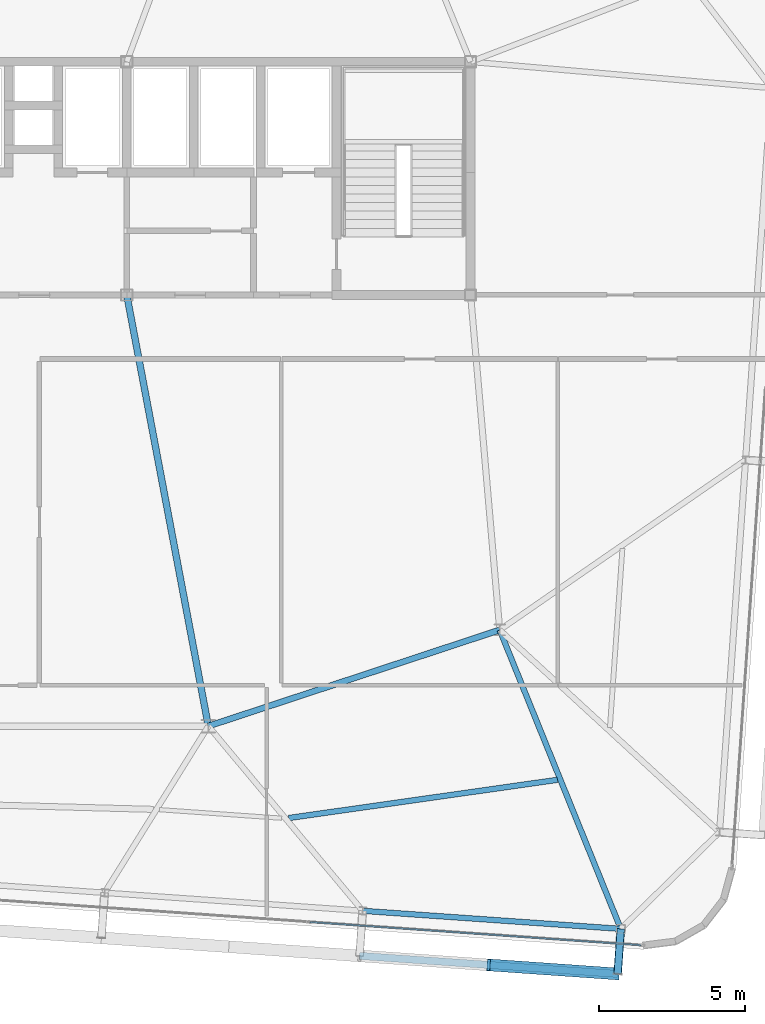
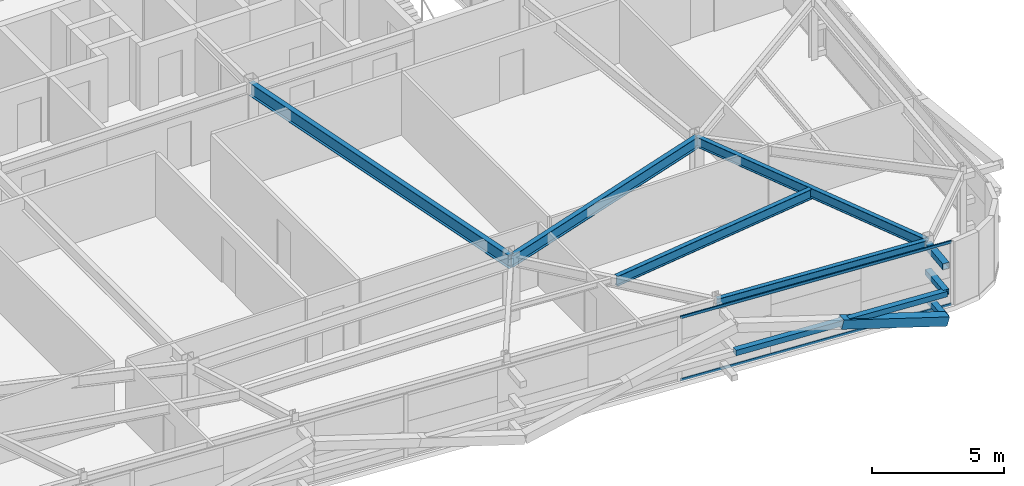
# One storey, part 14 of 39: 7 members, 5 beams, 1 element without a shape of its own.
"""IFC4 building model written with IfcOpenShell, lengths in metres."""

import ifcopenshell
import ifcopenshell.guid

model = None  # the IFC model being written
_history = None  # IfcOwnerHistory: only IFC2X3 demands one
_inside = {}  # id of a spatial element -> (the spatial element, [elements in it])
_under = {}  # id of a project, library or spatial element -> (it, [spatial elements below it])
_declared = {}  # id of a project -> (the project, [libraries it declares])
_typed = {}  # id of a type object -> (the type object, [elements of that type])
_made_of = {}  # id of a material, layer set ... -> (it, [elements and type objects made of it])


def new_model(schema):
    """Start an empty IFC model of exactly this schema.

    Asked for "IFC4X3", IfcOpenShell would pick the latest addendum, in which some entities
    have other attributes; the version numbers below select the first issue.
    IFC2X3 requires an IfcOwnerHistory on every rooted entity: one is made here for all.
    """
    global model, _history
    if schema == "IFC4X3":
        model = ifcopenshell.file(schema_version=(4, 3, 0, 0))
    else:
        model = ifcopenshell.file(schema=schema)
    _inside.clear()
    _under.clear()
    _declared.clear()
    _typed.clear()
    _made_of.clear()
    _history = None
    if model.schema == "IFC2X3":
        org = make("IfcOrganization", Name="unknown")
        user = make(
            "IfcPersonAndOrganization",
            ThePerson=make("IfcPerson", FamilyName="unknown"),
            TheOrganization=org,
        )
        app = make(
            "IfcApplication",
            ApplicationDeveloper=org,
            Version="unknown",
            ApplicationFullName="unknown",
            ApplicationIdentifier="unknown",
        )
        _history = make(
            "IfcOwnerHistory",
            OwningUser=user,
            OwningApplication=app,
            ChangeAction="ADDED",
            CreationDate=0,
        )
    return model


def make(cls, **values):
    """One entity of the class cls with the attributes given. An attribute that is None is left unset."""
    return model.create_entity(
        cls, **{name: value for name, value in values.items() if value is not None}
    )


def rooted(cls, **values):
    """An entity with a GlobalId (a new one), such as an element, a storey or a relation."""
    return make(cls, GlobalId=ifcopenshell.guid.new(), OwnerHistory=_history, **values)


def si_unit(unit_type, name, prefix=None):
    """IfcSIUnit, for example si_unit("LENGTHUNIT", "METRE", prefix="MILLI")."""
    return make("IfcSIUnit", UnitType=unit_type, Prefix=prefix, Name=name)


def assignment(units):
    """IfcUnitAssignment: the units of a project."""
    return None if units is None else make("IfcUnitAssignment", Units=units)


def point(xyz):
    """IfcCartesianPoint."""
    return None if xyz is None else make("IfcCartesianPoint", Coordinates=xyz)


def direction(xyz):
    """IfcDirection."""
    return None if xyz is None else make("IfcDirection", DirectionRatios=xyz)


def frame(location, z_axis=None, x_axis=None):
    """IfcAxis2Placement3D, a coordinate frame: its origin and axes. An axis left out is left unset."""
    return make(
        "IfcAxis2Placement3D",
        Location=point(location),
        Axis=direction(z_axis),
        RefDirection=direction(x_axis),
    )


def frame_2d(location, x_axis=None):
    """IfcAxis2Placement2D, a coordinate frame in the plane: its origin and x axis."""
    return make(
        "IfcAxis2Placement2D", Location=point(location), RefDirection=direction(x_axis)
    )


def origin():
    """The frame at (0, 0, 0) with its axes left unset."""
    return frame((0.0, 0.0, 0.0))


def origin_2d():
    """The frame at (0, 0) in the plane with its x axis left unset."""
    return frame_2d((0.0, 0.0))


def place(relative_to, where):
    """IfcLocalPlacement: puts the frame where relative to a parent placement (None: the world)."""
    return make(
        "IfcLocalPlacement", PlacementRelTo=relative_to, RelativePlacement=where
    )


def context(
    kind, dimensions, precision=None, world=None, true_north=None, identifier=None
):
    """IfcGeometricRepresentationContext, for example the 3D "Model" context."""
    return make(
        "IfcGeometricRepresentationContext",
        ContextIdentifier=identifier,
        ContextType=kind,
        CoordinateSpaceDimension=dimensions,
        Precision=precision,
        WorldCoordinateSystem=world,
        TrueNorth=true_north,
    )


def subcontext(parent, identifier, kind, view, scale=None):
    """IfcGeometricRepresentationSubContext, for example "Body" below "Model"."""
    return make(
        "IfcGeometricRepresentationSubContext",
        ContextIdentifier=identifier,
        ContextType=kind,
        ParentContext=parent,
        TargetScale=scale,
        TargetView=view,
    )


def project(units=None, contexts=None):
    """IfcProject with its units and contexts."""
    return rooted(
        "IfcProject",
        Name="project",
        RepresentationContexts=contexts,
        UnitsInContext=assignment(units),
    )


def spatial(cls, under=None, at=None, **own):
    """A site, building, storey or space (cls), placed at a placement, below another one or the project."""
    s = rooted(cls, ObjectPlacement=at, **own)
    if under is not None:
        _under.setdefault(under.id(), (under, []))[1].append(s)
    return s


def profile(cls, at=None, kind="AREA", **sizes):
    """A parametric profile (cls). Its sizes go by their IFC names, for example OverallWidth=200.0."""
    return make(cls, ProfileType=kind, Position=at, **sizes)


def hollow_rectangle(**sizes):
    """IfcRectangleHollowProfileDef."""
    return profile("IfcRectangleHollowProfileDef", **sizes)


def i_section(**sizes):
    """IfcIShapeProfileDef."""
    return profile("IfcIShapeProfileDef", **sizes)


def extrude(swept, where, along, depth):
    """IfcExtrudedAreaSolid: the profile swept, set in the frame where, extruded along a direction by depth."""
    return make(
        "IfcExtrudedAreaSolid",
        SweptArea=swept,
        Position=where,
        ExtrudedDirection=direction(along),
        Depth=depth,
    )


def shape(context_of_items, identifier, shape_type, items):
    """IfcShapeRepresentation: the items that make up one representation, for example the "Body"."""
    return make(
        "IfcShapeRepresentation",
        ContextOfItems=context_of_items,
        RepresentationIdentifier=identifier,
        RepresentationType=shape_type,
        Items=items,
    )


def source(mapping_origin, context_of_items, identifier, shape_type, items):
    """IfcRepresentationMap: a shape defined once, which mapped items show again and again."""
    return make(
        "IfcRepresentationMap",
        MappingOrigin=mapping_origin,
        MappedRepresentation=shape(context_of_items, identifier, shape_type, items),
    )


def transform(
    local_origin,
    x_axis=None,
    y_axis=None,
    z_axis=None,
    scale=None,
    scale2=None,
    scale3=None,
    uniform=True,
):
    """IfcCartesianTransformationOperator3D, or its non-uniform kind. x_axis, y_axis, z_axis: its Axis1, 2, 3."""
    if uniform:
        return make(
            "IfcCartesianTransformationOperator3D",
            Axis1=direction(x_axis),
            Axis2=direction(y_axis),
            LocalOrigin=point(local_origin),
            Scale=scale,
            Axis3=direction(z_axis),
        )
    return make(
        "IfcCartesianTransformationOperator3DnonUniform",
        Axis1=direction(x_axis),
        Axis2=direction(y_axis),
        LocalOrigin=point(local_origin),
        Scale=scale,
        Axis3=direction(z_axis),
        Scale2=scale2,
        Scale3=scale3,
    )


def mapped(mapping_source, mapping_target):
    """IfcMappedItem: shows the shape of a source again, moved by a transform."""
    return make(
        "IfcMappedItem", MappingSource=mapping_source, MappingTarget=mapping_target
    )


def material(Name=None, Category=None):
    """IfcMaterial."""
    return make("IfcMaterial", Name=Name, Category=Category)


def layer(
    of_material, thickness, ventilated=None, Name=None, Category=None, Priority=None
):
    """IfcMaterialLayer: one layer of a wall or slab, of a material (None: an air gap)."""
    return make(
        "IfcMaterialLayer",
        Material=of_material,
        LayerThickness=thickness,
        IsVentilated=ventilated,
        Name=Name,
        Category=Category,
        Priority=Priority,
    )


def layer_set(layers, Name=None):
    """IfcMaterialLayerSet."""
    return make("IfcMaterialLayerSet", MaterialLayers=layers, LayerSetName=Name)


def material_profile(
    of_material, cross_section, Name=None, Category=None, Priority=None
):
    """IfcMaterialProfile: a cross section and its material."""
    return make(
        "IfcMaterialProfile",
        Name=Name,
        Material=of_material,
        Profile=cross_section,
        Priority=Priority,
        Category=Category,
    )


def profile_set(profiles, Name=None, composite=None):
    """IfcMaterialProfileSet."""
    return make(
        "IfcMaterialProfileSet",
        Name=Name,
        MaterialProfiles=profiles,
        CompositeProfile=composite,
    )


def made_of(thing, what):
    """Note that an element or type object is made of a material, layer set ...; save() writes the relation."""
    if what is not None:
        _made_of.setdefault(what.id(), (what, []))[1].append(thing)
    return thing


def type_object(cls, material=None, **own):
    """A type object (cls), such as IfcWallType, which elements share."""
    return made_of(rooted(cls, **own), material)


def element(
    cls,
    number,
    at=None,
    inside=None,
    cuts=None,
    type_object=None,
    material=None,
    context=None,
    identifier="Body",
    shape_type=None,
    held_by="IfcProductDefinitionShape",
    body=None,
    shapes=None,
    **own,
):
    """One element of the class cls, such as IfcWall. Its Tag is "e" and its number.

    at: its placement. inside: the storey or other place that contains it. cuts: it is an
    opening in that element (IfcRelVoidsElement). A single representation is given by context,
    identifier, shape_type and body (its items); several are given by shapes. held_by: the class
    of the entity that holds the representations. save() writes the other relations.
    """
    e = rooted(cls, Tag="e%d" % number, ObjectPlacement=at, **own)
    if body is not None:
        shapes = [shape(context, identifier, shape_type, body)]
    if shapes is not None:
        e.Representation = make(held_by, Representations=shapes)
    if inside is not None:
        _inside.setdefault(inside.id(), (inside, []))[1].append(e)
    if cuts is not None:
        rooted(
            "IfcRelVoidsElement", RelatingBuildingElement=cuts, RelatedOpeningElement=e
        )
    if type_object is not None:
        _typed.setdefault(type_object.id(), (type_object, []))[1].append(e)
    return made_of(e, material)


def aggregate(whole, parts):
    """IfcRelAggregates: a whole, such as a stair, and the parts it consists of."""
    return rooted("IfcRelAggregates", RelatingObject=whole, RelatedObjects=parts)


def save(model, path):
    """Write the relations noted so far, then the file.

    IfcRelAggregates (storeys below a building ...), IfcRelContainedInSpatialStructure (elements
    in a storey), IfcRelDefinesByType, IfcRelAssociatesMaterial and IfcRelDeclares: one each for
    every whole, place, type object, material and project.
    """
    for whole, parts in _under.values():
        aggregate(whole, parts)
    for where, things in _inside.values():
        rooted(
            "IfcRelContainedInSpatialStructure",
            RelatedElements=things,
            RelatingStructure=where,
        )
    for kind, things in _typed.values():
        rooted("IfcRelDefinesByType", RelatedObjects=things, RelatingType=kind)
    for what, things in _made_of.values():
        rooted("IfcRelAssociatesMaterial", RelatedObjects=things, RelatingMaterial=what)
    for by, libraries in _declared.values():
        rooted("IfcRelDeclares", RelatingContext=by, RelatedDefinitions=libraries)
    model.write(path)


model = new_model("IFC4")

# Units and contexts
model_context = context("Model", 3, precision=1e-05, world=origin(), true_north=direction((0.0, 1.0)))
body_context = subcontext(model_context, "Body", "Model", "MODEL_VIEW")
ifc_project = project(units=[si_unit("LENGTHUNIT", "METRE"), si_unit("AREAUNIT", "SQUARE_METRE"), si_unit("VOLUMEUNIT", "CUBIC_METRE"), si_unit("PLANEANGLEUNIT", "RADIAN"), si_unit("MASSUNIT", "GRAM", prefix="KILO")], contexts=[model_context])

# Site, building, storey
site_placement = place(None, origin())
site = spatial("IfcSite", under=ifc_project, at=site_placement, CompositionType="ELEMENT")
building_placement = place(site_placement, origin())
building = spatial("IfcBuilding", under=site, at=building_placement, Name="Taldren Reach Tower", CompositionType="ELEMENT")
storey_placement = place(building_placement, frame((0.0, 0.0, 129.85009765625)))
storey = spatial("IfcBuildingStorey", under=building, at=storey_placement, Name="L39", CompositionType="ELEMENT", Elevation=129.85009765625)

# Beams
ifc_material_1 = material(Name="Steel Gr 350 (350PLUS)", Category="steel")
ifc_material_profile_1 = material_profile(ifc_material_1, i_section(OverallWidth=0.208984375, OverallDepth=0.532958984375, WebThickness=0.01025390625, FlangeThickness=0.015625, at=origin_2d()), Name="530UB92.4")
ifc_profile_set_1 = profile_set([ifc_material_profile_1], Name="Steel Gr 350 (350PLUS)")
beam_type_1 = type_object("IfcBeamType", Name="BM-UB530A", PredefinedType="BEAM", material=ifc_profile_set_1)
shared_shape_1 = source(origin(), body_context, "Body", "SweptSolid", [
    extrude(i_section(OverallWidth=0.208984375, OverallDepth=0.532958984375, WebThickness=0.01025390625, FlangeThickness=0.015625, at=origin_2d()), origin(), (0.0, 0.0, 1.0), 10.530517578125),
])
beam_1_placement = place(storey_placement, frame((42.0, 9.199951171875, 2.663330078125), z_axis=(0.949627269203, 0.313381635689, 0.0), x_axis=(-0.313381635689, 0.949627269203, 0.0)))
element("IfcBeam", 1, at=beam_1_placement, inside=storey, type_object=beam_type_1, Name="Core-spine girder L39-SP12", PredefinedType="BEAM", context=body_context, shape_type="MappedRepresentation", body=[
    mapped(shared_shape_1, transform((0.0, 0.0, 0.0), scale=1.0)),
])
ifc_material_profile_2 = material_profile(ifc_material_1, i_section(OverallWidth=0.22802734375, OverallDepth=0.60205078125, WebThickness=0.010498046875, FlangeThickness=0.014892578125, at=origin_2d()), Name="610UB101")
ifc_profile_set_2 = profile_set([ifc_material_profile_2], Name="Steel Gr 350 (350PLUS)")
beam_type_2 = type_object("IfcBeamType", Name="BM-UB610B", PredefinedType="BEAM", material=ifc_profile_set_2)
shared_shape_2 = source(origin(), body_context, "Body", "SweptSolid", [
    extrude(i_section(OverallWidth=0.22802734375, OverallDepth=0.60205078125, WebThickness=0.010498046875, FlangeThickness=0.014892578125, at=origin_2d()), origin(), (0.0, 0.0, 1.0), 15.0625),
])
beam_2_placement = place(storey_placement, frame((39.199951171875, 24.0, 2.62890625), z_axis=(0.185894205668, -0.982569765614, 0.0), x_axis=(0.982569765614, 0.185894205668, 0.0)))
element("IfcBeam", 2, at=beam_2_placement, inside=storey, type_object=beam_type_2, Name="Core-spine girder L39-SP15", PredefinedType="BEAM", context=body_context, shape_type="MappedRepresentation", body=[
    mapped(shared_shape_2, transform((0.0, 0.0, 0.0), scale=1.0)),
])

# Members
ifc_material_2 = material(Name="Steel Gr 450 (C450L0)", Category="steel")
ifc_material_profile_3 = material_profile(ifc_material_2, hollow_rectangle(XDim=0.27490234375, YDim=0.27490234375, WallThickness=0.00927734375, at=origin_2d()), Name="275x275x9.3SHS")
ifc_profile_set_3 = profile_set([ifc_material_profile_3], Name="Steel Gr 450 (C450L0)")
member_type_1 = type_object("IfcMemberType", Name="MB-TIE273", PredefinedType="STRUT", material=ifc_profile_set_3)
shared_shape_3 = source(origin(), body_context, "Body", "SweptSolid", [
    extrude(hollow_rectangle(XDim=0.27490234375, YDim=0.27490234375, WallThickness=0.00927734375, at=origin_2d()), origin(), (0.0, 0.0, 1.0), 1.5498046875),
])
member_1_placement = place(storey_placement, frame((56.155517578125, 2.2412109375, 2.64990234375), z_axis=(-0.069780535098, -0.997562367434, 0.0), x_axis=(0.997562367434, -0.069780535098, 0.0)))
element("IfcMember", 3, at=member_1_placement, inside=storey, type_object=member_type_1, Name="Exoskeleton diaphragm tie strut B3-S6 L39", PredefinedType="STRUT", context=body_context, shape_type="MappedRepresentation", body=[
    mapped(shared_shape_3, transform((0.0, 0.0, 0.0), scale=1.0)),
])
ifc_material_3 = material(Name="Steel Gr 350 (C350L0)", Category="steel")
ifc_material_profile_4 = material_profile(ifc_material_3, hollow_rectangle(XDim=0.25, YDim=0.25, WallThickness=0.010009765625, at=origin_2d()), Name="250x250x10.0SHS")
ifc_profile_set_4 = profile_set([ifc_material_profile_4], Name="Steel Gr 350 (C350L0)")
member_type_2 = type_object("IfcMemberType", Name="MB-POST250", PredefinedType="POST", material=ifc_profile_set_4)
shared_shape_4 = source(origin(), body_context, "Body", "SweptSolid", [
    extrude(hollow_rectangle(XDim=0.25, YDim=0.25, WallThickness=0.010009765625, at=origin_2d()), origin(), (0.0, 0.0, 1.0), 1.5498046875),
])
for number, where, z_axis, x_axis, name in (
    (4, (56.155517578125, 2.2412109375, 0.219970703125), (-0.069780535098, -0.997562367434, 0.0), (0.997562367434, -0.069780535098, 0.0), "Exoskeleton base diaphragm tie strut B3-S6 L39"),
    (5, (56.155517578125, 2.2412109375, 1.434814453125), (-0.069780535098, -0.997562367434, 0.0), (0.997562367434, -0.069780535098, 0.0), "Exoskeleton mid-tier diaphragm tie B3-S6 L39"),
):
    element("IfcMember", number, at=place(storey_placement, frame(where, z_axis=z_axis, x_axis=x_axis)), inside=storey, type_object=member_type_2, Name=name, PredefinedType="POST", context=body_context, shape_type="MappedRepresentation", body=[
        mapped(shared_shape_4, transform((0.0, 0.0, 0.0), scale=1.0)),
    ])

# Beams
ifc_material_profile_5 = material_profile(ifc_material_1, i_section(OverallWidth=0.18994140625, OverallDepth=0.4541015625, WebThickness=0.008544921875, FlangeThickness=0.0126953125, at=origin_2d()), Name="460UB67.1")
ifc_profile_set_5 = profile_set([ifc_material_profile_5], Name="Steel Gr 350 (350PLUS)")
beam_type_3 = type_object("IfcBeamType", Name="SP-UB460B", PredefinedType="SPANDREL", material=ifc_profile_set_5)
shared_shape_5 = source(origin(), body_context, "Body", "SweptSolid", [
    extrude(i_section(OverallWidth=0.18994140625, OverallDepth=0.4541015625, WebThickness=0.008544921875, FlangeThickness=0.0126953125, at=origin_2d()), origin(), (0.0, 0.0, 1.0), 8.880126953125),
])
beam_3_placement = place(storey_placement, frame((47.297119140625, 2.860595703125, 2.702880859375), z_axis=(0.997564479639, -0.069750333063, 0.0), x_axis=(0.069750333063, 0.997564479639, 0.0)))
element("IfcBeam", 6, at=beam_3_placement, inside=storey, type_object=beam_type_3, Name="Perimeter spandrel B3 S5-S6 L39", PredefinedType="SPANDREL", context=body_context, shape_type="MappedRepresentation", body=[
    mapped(shared_shape_5, transform((0.0, 0.0, 0.0), scale=1.0)),
])
ifc_material_profile_6 = material_profile(ifc_material_1, i_section(OverallWidth=0.19091796875, OverallDepth=0.4599609375, WebThickness=0.010009765625, FlangeThickness=0.01611328125, at=origin_2d()), Name="460UB82.1")
ifc_profile_set_6 = profile_set([ifc_material_profile_6], Name="Steel Gr 350 (350PLUS)")
beam_type_4 = type_object("IfcBeamType", Name="BM-UB460A", PredefinedType="BEAM", material=ifc_profile_set_6)
shared_shape_6 = source(origin(), body_context, "Body", "SweptSolid", [
    extrude(i_section(OverallWidth=0.19091796875, OverallDepth=0.4599609375, WebThickness=0.010009765625, FlangeThickness=0.01611328125, at=origin_2d()), origin(), (0.0, 0.0, 1.0), 11.068359375),
])
beam_4_placement = place(storey_placement, frame((52.0, 12.5, 2.699951171875), z_axis=(0.375437319636, -0.92684778633, 0.0), x_axis=(0.92684778633, 0.375437319636, 0.0)))
element("IfcBeam", 7, at=beam_4_placement, inside=storey, type_object=beam_type_4, Name="Primary floor girder B3-S6 L39", PredefinedType="BEAM", context=body_context, shape_type="MappedRepresentation", body=[
    mapped(shared_shape_6, transform((0.0, 0.0, 0.0), scale=1.0)),
])
shared_shape_7 = source(origin(), body_context, "Body", "SweptSolid", [
    extrude(i_section(OverallWidth=0.19091796875, OverallDepth=0.4599609375, WebThickness=0.010009765625, FlangeThickness=0.01611328125, at=origin_2d()), origin(), (0.0, 0.0, 1.0), 9.313232421875),
])
beam_5_placement = place(storey_placement, frame((44.759765625, 6.046142578125, 2.699951171875), z_axis=(0.990049385514, 0.140720340547, 0.0), x_axis=(-0.140720340547, 0.990049385514, 0.0)))
element("IfcBeam", 8, at=beam_5_placement, inside=storey, type_object=beam_type_4, Name="Secondary floor beam B3 J5 L39", PredefinedType="BEAM", context=body_context, shape_type="MappedRepresentation", body=[
    mapped(shared_shape_7, transform((0.0, 0.0, 0.0), scale=1.0)),
])

# Members
shared_shape_8 = source(origin(), body_context, "Body", "SweptSolid", [
    extrude(hollow_rectangle(XDim=0.25, YDim=0.25, WallThickness=0.010009765625, at=origin_2d()), origin(), (0.0, 0.0, 1.0), 8.880126953125),
])
member_2_placement = place(storey_placement, frame((47.18896484375, 1.314453125, 1.434814453125), z_axis=(0.997564479639, -0.069750333063, 0.0), x_axis=(0.069750333063, 0.997564479639, 0.0)))
element("IfcMember", 9, at=member_2_placement, inside=storey, type_object=member_type_2, Name="Exoskeleton mid-height ring chord B3-S5 L39", PredefinedType="POST", context=body_context, shape_type="MappedRepresentation", body=[
    mapped(shared_shape_8, transform((0.0, 0.0, 0.0), scale=1.0)),
])
ifc_material_profile_7 = material_profile(ifc_material_2, hollow_rectangle(XDim=0.409912109375, YDim=0.409912109375, WallThickness=0.01611328125, at=origin_2d()), Name="410x410x16.0SHS")
ifc_profile_set_7 = profile_set([ifc_material_profile_7], Name="Steel Gr 450 (C450L0)")
member_type_3 = type_object("IfcMemberType", Name="MB-EXO406", PredefinedType="BRACE", material=ifc_profile_set_7)
shared_shape_9 = source(origin(), body_context, "Body", "SweptSolid", [
    extrude(hollow_rectangle(XDim=0.409912109375, YDim=0.409912109375, WallThickness=0.01611328125, at=origin_2d()), origin(), (0.0, 0.0, 1.0), 4.603271484375),
])
member_3_placement = place(storey_placement, frame((56.04736328125, 0.695068359375, 0.219970703125), z_axis=(-0.962199253371, 0.067251055742, 0.263912660389), x_axis=(-0.069722973508, -0.997566392259, 0.0)))
element("IfcMember", 10, at=member_3_placement, inside=storey, type_object=member_type_3, Name="Exoskeleton Diagrid Brace B3-S5 L39", PredefinedType="BRACE", context=body_context, shape_type="MappedRepresentation", body=[
    mapped(shared_shape_9, transform((0.0, 0.0, 0.0), scale=1.0)),
])

# Curtain wall, members
ifc_material_4 = material(Name="Aluminium and Low-E Glass Unitised System", Category="aluminium")
ifc_layer = layer(ifc_material_4, 0.159912109375)
ifc_layer_set = layer_set([ifc_layer], Name="Aluminium and Low-E Glass Unitised System")
curtain_wall_type = type_object("IfcCurtainWallType", Name="CW-SYS-4", PredefinedType="NOTDEFINED", material=ifc_layer_set)
curtain_wall_placement = place(storey_placement, origin())
curtain_wall = element("IfcCurtainWall", 11, at=curtain_wall_placement, inside=storey, type_object=curtain_wall_type, Name="Unitised curtain wall CW-L39-S", PredefinedType="NOTDEFINED")
ifc_material_5 = material(Name="Anodised Aluminium 6063-T6", Category="aluminium")
ifc_material_profile_8 = material_profile(ifc_material_5, hollow_rectangle(XDim=0.054931640625, YDim=0.1201171875, WallThickness=0.0029296875, at=origin_2d()), Name="ALU-120x55x3RHS")
ifc_profile_set_8 = profile_set([ifc_material_profile_8], Name="Anodised Aluminium 6063-T6")
member_type_4 = type_object("IfcMemberType", Name="CW-TRN-135", PredefinedType="USERDEFINED", material=ifc_profile_set_8)
shared_shape_10 = source(origin(), body_context, "Body", "SweptSolid", [
    extrude(hollow_rectangle(XDim=0.054931640625, YDim=0.1201171875, WallThickness=0.0029296875, at=origin_2d()), origin(), (0.0, 0.0, 1.0), 11.395263671875),
])
member_4_placement = place(storey_placement, frame((45.480712890625, 2.476318359375, 0.02734375), z_axis=(0.997565335668, -0.069738089122, 0.0), x_axis=(0.069738089122, 0.997565335668, 0.0)))
member_4 = element("IfcMember", 12, at=member_4_placement, type_object=member_type_4, Name="CW-4 transom 4.1", ObjectType="TRANSOM", PredefinedType="USERDEFINED", context=body_context, shape_type="MappedRepresentation", body=[
    mapped(shared_shape_10, transform((0.0, 0.0, 0.0), scale=1.0)),
])
member_5_placement = place(storey_placement, frame((45.480712890625, 2.476318359375, 2.90234375), z_axis=(0.997565335668, -0.069738089122, 0.0), x_axis=(0.069738089122, 0.997565335668, 0.0)))
member_5 = element("IfcMember", 13, at=member_5_placement, type_object=member_type_4, Name="CW-4 transom 4.2", ObjectType="TRANSOM", PredefinedType="USERDEFINED", context=body_context, shape_type="MappedRepresentation", body=[
    mapped(shared_shape_10, transform((0.0, 0.0, 0.0), scale=1.0)),
])
aggregate(curtain_wall, [member_4, member_5])

save(model, "model.ifc")
